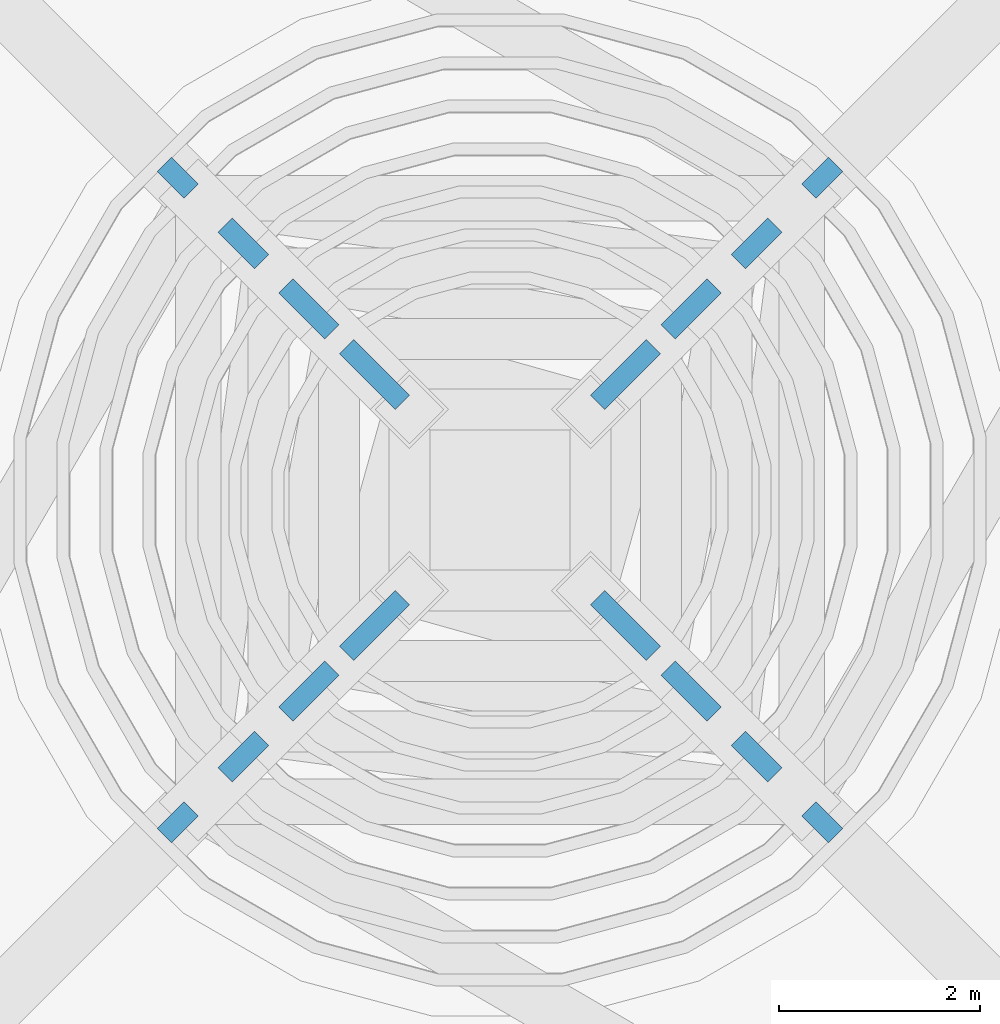
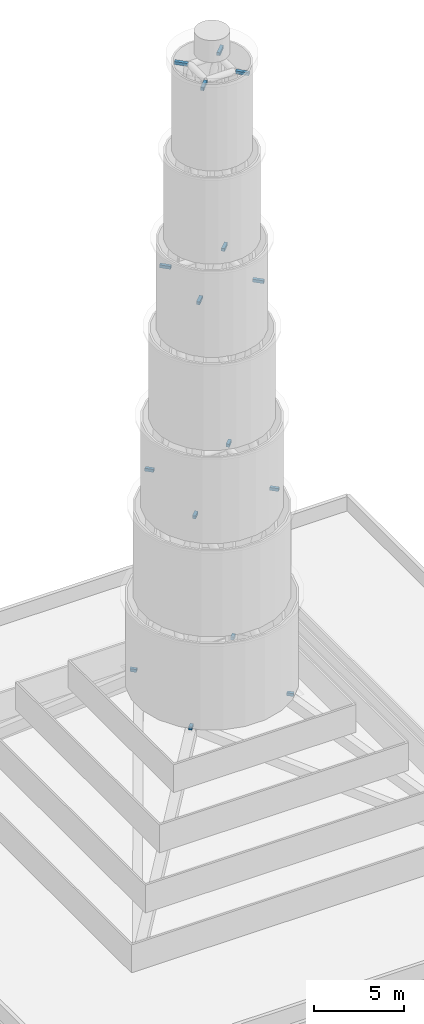
# One storey, part 2 of 4: 16 discrete accessories.
"""IFC4 building model written with IfcOpenShell, lengths in metres."""

import ifcopenshell
import ifcopenshell.guid

model = None  # the IFC model being written
_history = None  # IfcOwnerHistory: only IFC2X3 demands one
_inside = {}  # id of a spatial element -> (the spatial element, [elements in it])
_under = {}  # id of a project, library or spatial element -> (it, [spatial elements below it])
_declared = {}  # id of a project -> (the project, [libraries it declares])
_typed = {}  # id of a type object -> (the type object, [elements of that type])
_made_of = {}  # id of a material, layer set ... -> (it, [elements and type objects made of it])


def new_model(schema):
    """Start an empty IFC model of exactly this schema.

    Asked for "IFC4X3", IfcOpenShell would pick the latest addendum, in which some entities
    have other attributes; the version numbers below select the first issue.
    IFC2X3 requires an IfcOwnerHistory on every rooted entity: one is made here for all.
    """
    global model, _history
    if schema == "IFC4X3":
        model = ifcopenshell.file(schema_version=(4, 3, 0, 0))
    else:
        model = ifcopenshell.file(schema=schema)
    _inside.clear()
    _under.clear()
    _declared.clear()
    _typed.clear()
    _made_of.clear()
    _history = None
    if model.schema == "IFC2X3":
        org = make("IfcOrganization", Name="unknown")
        user = make(
            "IfcPersonAndOrganization",
            ThePerson=make("IfcPerson", FamilyName="unknown"),
            TheOrganization=org,
        )
        app = make(
            "IfcApplication",
            ApplicationDeveloper=org,
            Version="unknown",
            ApplicationFullName="unknown",
            ApplicationIdentifier="unknown",
        )
        _history = make(
            "IfcOwnerHistory",
            OwningUser=user,
            OwningApplication=app,
            ChangeAction="ADDED",
            CreationDate=0,
        )
    return model


def make(cls, **values):
    """One entity of the class cls with the attributes given. An attribute that is None is left unset."""
    return model.create_entity(
        cls, **{name: value for name, value in values.items() if value is not None}
    )


def rooted(cls, **values):
    """An entity with a GlobalId (a new one), such as an element, a storey or a relation."""
    return make(cls, GlobalId=ifcopenshell.guid.new(), OwnerHistory=_history, **values)


def si_unit(unit_type, name, prefix=None):
    """IfcSIUnit, for example si_unit("LENGTHUNIT", "METRE", prefix="MILLI")."""
    return make("IfcSIUnit", UnitType=unit_type, Prefix=prefix, Name=name)


def assignment(units):
    """IfcUnitAssignment: the units of a project."""
    return None if units is None else make("IfcUnitAssignment", Units=units)


def point(xyz):
    """IfcCartesianPoint."""
    return None if xyz is None else make("IfcCartesianPoint", Coordinates=xyz)


def direction(xyz):
    """IfcDirection."""
    return None if xyz is None else make("IfcDirection", DirectionRatios=xyz)


def frame(location, z_axis=None, x_axis=None):
    """IfcAxis2Placement3D, a coordinate frame: its origin and axes. An axis left out is left unset."""
    return make(
        "IfcAxis2Placement3D",
        Location=point(location),
        Axis=direction(z_axis),
        RefDirection=direction(x_axis),
    )


def origin():
    """The frame at (0, 0, 0) with its axes left unset."""
    return frame((0.0, 0.0, 0.0))


def place(relative_to, where):
    """IfcLocalPlacement: puts the frame where relative to a parent placement (None: the world)."""
    return make(
        "IfcLocalPlacement", PlacementRelTo=relative_to, RelativePlacement=where
    )


def context(
    kind, dimensions, precision=None, world=None, true_north=None, identifier=None
):
    """IfcGeometricRepresentationContext, for example the 3D "Model" context."""
    return make(
        "IfcGeometricRepresentationContext",
        ContextIdentifier=identifier,
        ContextType=kind,
        CoordinateSpaceDimension=dimensions,
        Precision=precision,
        WorldCoordinateSystem=world,
        TrueNorth=true_north,
    )


def subcontext(parent, identifier, kind, view, scale=None):
    """IfcGeometricRepresentationSubContext, for example "Body" below "Model"."""
    return make(
        "IfcGeometricRepresentationSubContext",
        ContextIdentifier=identifier,
        ContextType=kind,
        ParentContext=parent,
        TargetScale=scale,
        TargetView=view,
    )


def project(units=None, contexts=None):
    """IfcProject with its units and contexts."""
    return rooted(
        "IfcProject",
        Name="project",
        RepresentationContexts=contexts,
        UnitsInContext=assignment(units),
    )


def spatial(cls, under=None, at=None, **own):
    """A site, building, storey or space (cls), placed at a placement, below another one or the project."""
    s = rooted(cls, ObjectPlacement=at, **own)
    if under is not None:
        _under.setdefault(under.id(), (under, []))[1].append(s)
    return s


def polyline(points):
    """IfcPolyline through the points."""
    return make("IfcPolyline", Points=[point(p) for p in points])


def outline(outer, holes=None, kind="AREA"):
    """IfcArbitraryClosedProfileDef: a profile drawn as a closed curve; with holes, ...WithVoids."""
    if holes is None:
        return make("IfcArbitraryClosedProfileDef", ProfileType=kind, OuterCurve=outer)
    return make(
        "IfcArbitraryProfileDefWithVoids",
        ProfileType=kind,
        OuterCurve=outer,
        InnerCurves=holes,
    )


def extrude(swept, where, along, depth):
    """IfcExtrudedAreaSolid: the profile swept, set in the frame where, extruded along a direction by depth."""
    return make(
        "IfcExtrudedAreaSolid",
        SweptArea=swept,
        Position=where,
        ExtrudedDirection=direction(along),
        Depth=depth,
    )


def shape(context_of_items, identifier, shape_type, items):
    """IfcShapeRepresentation: the items that make up one representation, for example the "Body"."""
    return make(
        "IfcShapeRepresentation",
        ContextOfItems=context_of_items,
        RepresentationIdentifier=identifier,
        RepresentationType=shape_type,
        Items=items,
    )


def material(Name=None, Category=None):
    """IfcMaterial."""
    return make("IfcMaterial", Name=Name, Category=Category)


def made_of(thing, what):
    """Note that an element or type object is made of a material, layer set ...; save() writes the relation."""
    if what is not None:
        _made_of.setdefault(what.id(), (what, []))[1].append(thing)
    return thing


def type_object(cls, material=None, **own):
    """A type object (cls), such as IfcWallType, which elements share."""
    return made_of(rooted(cls, **own), material)


def element(
    cls,
    number,
    at=None,
    inside=None,
    cuts=None,
    type_object=None,
    material=None,
    context=None,
    identifier="Body",
    shape_type=None,
    held_by="IfcProductDefinitionShape",
    body=None,
    shapes=None,
    **own,
):
    """One element of the class cls, such as IfcWall. Its Tag is "e" and its number.

    at: its placement. inside: the storey or other place that contains it. cuts: it is an
    opening in that element (IfcRelVoidsElement). A single representation is given by context,
    identifier, shape_type and body (its items); several are given by shapes. held_by: the class
    of the entity that holds the representations. save() writes the other relations.
    """
    e = rooted(cls, Tag="e%d" % number, ObjectPlacement=at, **own)
    if body is not None:
        shapes = [shape(context, identifier, shape_type, body)]
    if shapes is not None:
        e.Representation = make(held_by, Representations=shapes)
    if inside is not None:
        _inside.setdefault(inside.id(), (inside, []))[1].append(e)
    if cuts is not None:
        rooted(
            "IfcRelVoidsElement", RelatingBuildingElement=cuts, RelatedOpeningElement=e
        )
    if type_object is not None:
        _typed.setdefault(type_object.id(), (type_object, []))[1].append(e)
    return made_of(e, material)


def aggregate(whole, parts):
    """IfcRelAggregates: a whole, such as a stair, and the parts it consists of."""
    return rooted("IfcRelAggregates", RelatingObject=whole, RelatedObjects=parts)


def save(model, path):
    """Write the relations noted so far, then the file.

    IfcRelAggregates (storeys below a building ...), IfcRelContainedInSpatialStructure (elements
    in a storey), IfcRelDefinesByType, IfcRelAssociatesMaterial and IfcRelDeclares: one each for
    every whole, place, type object, material and project.
    """
    for whole, parts in _under.values():
        aggregate(whole, parts)
    for where, things in _inside.values():
        rooted(
            "IfcRelContainedInSpatialStructure",
            RelatedElements=things,
            RelatingStructure=where,
        )
    for kind, things in _typed.values():
        rooted("IfcRelDefinesByType", RelatedObjects=things, RelatingType=kind)
    for what, things in _made_of.values():
        rooted("IfcRelAssociatesMaterial", RelatedObjects=things, RelatingMaterial=what)
    for by, libraries in _declared.values():
        rooted("IfcRelDeclares", RelatingContext=by, RelatedDefinitions=libraries)
    model.write(path)


model = new_model("IFC4")

# Units and contexts
model_context = context("Model", 3, precision=1e-05, world=origin(), true_north=direction((0.0, 1.0)))
body_context = subcontext(model_context, "Body", "Model", "MODEL_VIEW")
ifc_project = project(units=[si_unit("LENGTHUNIT", "METRE"), si_unit("AREAUNIT", "SQUARE_METRE"), si_unit("VOLUMEUNIT", "CUBIC_METRE"), si_unit("PLANEANGLEUNIT", "RADIAN"), si_unit("MASSUNIT", "GRAM", prefix="KILO")], contexts=[model_context])

# Site, building, storey
site_placement = place(None, origin())
site = spatial("IfcSite", under=ifc_project, at=site_placement, CompositionType="ELEMENT")
building_placement = place(site_placement, origin())
building = spatial("IfcBuilding", under=site, at=building_placement, Name="Tarangal Relay Tower", CompositionType="ELEMENT")
storey_placement = place(building_placement, frame((0.0, 0.0, 346.89990234375)))
storey = spatial("IfcBuildingStorey", under=building, at=storey_placement, Name="ROOF", CompositionType="ELEMENT", Elevation=346.89990234375)

# Discrete accessories
ifc_material = material(Name="Steel ASTM A500 Grade C", Category="steel")
discrete_accessory_type = type_object("IfcDiscreteAccessoryType", Name="Spire cladding bracket", PredefinedType="BRACKET", material=ifc_material)
discrete_accessory_1_placement = place(storey_placement, frame((0.0, 0.0, 8.10009765625)))
element("IfcDiscreteAccessory", 1, at=discrete_accessory_1_placement, inside=storey, type_object=discrete_accessory_type, Name="Spire cladding bracket CR8 ring 1 corner 1", PredefinedType="BRACKET", context=body_context, shape_type="SweptSolid", body=[
    extrude(outline(polyline([(3.0, 3.141357421875), (3.26708984375, 3.408447265625), (3.408447265625, 3.26708984375), (3.141357421875, 3.0), (3.0, 3.141357421875)])), origin(), (0.0, 0.0, 1.0), 0.199951171875),
])
discrete_accessory_2_placement = place(storey_placement, frame((0.0, 0.0, 8.10009765625)))
element("IfcDiscreteAccessory", 2, at=discrete_accessory_2_placement, inside=storey, type_object=discrete_accessory_type, Name="Spire cladding bracket CR8 ring 1 corner 2", PredefinedType="BRACKET", context=body_context, shape_type="SweptSolid", body=[
    extrude(outline(polyline([(3.141357421875, -3.0), (3.408447265625, -3.26708984375), (3.26708984375, -3.408447265625), (3.0, -3.141357421875), (3.141357421875, -3.0)])), origin(), (0.0, 0.0, 1.0), 0.199951171875),
])
discrete_accessory_3_placement = place(storey_placement, frame((0.0, 0.0, 8.10009765625)))
element("IfcDiscreteAccessory", 3, at=discrete_accessory_3_placement, inside=storey, type_object=discrete_accessory_type, Name="Spire cladding bracket CR8 ring 1 corner 3", PredefinedType="BRACKET", context=body_context, shape_type="SweptSolid", body=[
    extrude(outline(polyline([(-3.0, -3.141357421875), (-3.26708984375, -3.408447265625), (-3.408447265625, -3.26708984375), (-3.141357421875, -3.0), (-3.0, -3.141357421875)])), origin(), (0.0, 0.0, 1.0), 0.199951171875),
])
discrete_accessory_4_placement = place(storey_placement, frame((0.0, 0.0, 8.10009765625)))
element("IfcDiscreteAccessory", 4, at=discrete_accessory_4_placement, inside=storey, type_object=discrete_accessory_type, Name="Spire cladding bracket CR8 ring 1 corner 4", PredefinedType="BRACKET", context=body_context, shape_type="SweptSolid", body=[
    extrude(outline(polyline([(-3.141357421875, 3.0), (-3.408447265625, 3.26708984375), (-3.26708984375, 3.408447265625), (-3.0, 3.141357421875), (-3.141357421875, 3.0)])), origin(), (0.0, 0.0, 1.0), 0.199951171875),
])
discrete_accessory_5_placement = place(storey_placement, frame((0.0, 0.0, 21.900146484375)))
element("IfcDiscreteAccessory", 5, at=discrete_accessory_5_placement, inside=storey, type_object=discrete_accessory_type, Name="Spire cladding bracket CR8 ring 2 corner 1", PredefinedType="BRACKET", context=body_context, shape_type="SweptSolid", body=[
    extrude(outline(polyline([(2.300048828125, 2.44140625), (2.662841796875, 2.80419921875), (2.80419921875, 2.662841796875), (2.44140625, 2.300048828125), (2.300048828125, 2.44140625)])), origin(), (0.0, 0.0, 1.0), 0.199951171875),
])
discrete_accessory_6_placement = place(storey_placement, frame((0.0, 0.0, 21.900146484375)))
element("IfcDiscreteAccessory", 6, at=discrete_accessory_6_placement, inside=storey, type_object=discrete_accessory_type, Name="Spire cladding bracket CR8 ring 2 corner 2", PredefinedType="BRACKET", context=body_context, shape_type="SweptSolid", body=[
    extrude(outline(polyline([(2.44140625, -2.300048828125), (2.80419921875, -2.662841796875), (2.662841796875, -2.80419921875), (2.300048828125, -2.44140625), (2.44140625, -2.300048828125)])), origin(), (0.0, 0.0, 1.0), 0.199951171875),
])
discrete_accessory_7_placement = place(storey_placement, frame((0.0, 0.0, 21.900146484375)))
element("IfcDiscreteAccessory", 7, at=discrete_accessory_7_placement, inside=storey, type_object=discrete_accessory_type, Name="Spire cladding bracket CR8 ring 2 corner 3", PredefinedType="BRACKET", context=body_context, shape_type="SweptSolid", body=[
    extrude(outline(polyline([(-2.300048828125, -2.44140625), (-2.662841796875, -2.80419921875), (-2.80419921875, -2.662841796875), (-2.44140625, -2.300048828125), (-2.300048828125, -2.44140625)])), origin(), (0.0, 0.0, 1.0), 0.199951171875),
])
discrete_accessory_8_placement = place(storey_placement, frame((0.0, 0.0, 21.900146484375)))
element("IfcDiscreteAccessory", 8, at=discrete_accessory_8_placement, inside=storey, type_object=discrete_accessory_type, Name="Spire cladding bracket CR8 ring 2 corner 4", PredefinedType="BRACKET", context=body_context, shape_type="SweptSolid", body=[
    extrude(outline(polyline([(-2.44140625, 2.300048828125), (-2.80419921875, 2.662841796875), (-2.662841796875, 2.80419921875), (-2.300048828125, 2.44140625), (-2.44140625, 2.300048828125)])), origin(), (0.0, 0.0, 1.0), 0.199951171875),
])
discrete_accessory_9_placement = place(storey_placement, frame((0.0, 0.0, 35.900146484375)))
element("IfcDiscreteAccessory", 9, at=discrete_accessory_9_placement, inside=storey, type_object=discrete_accessory_type, Name="Spire cladding bracket CR8 ring 3 corner 1", PredefinedType="BRACKET", context=body_context, shape_type="SweptSolid", body=[
    extrude(outline(polyline([(1.60009765625, 1.741455078125), (2.05859375, 2.199951171875), (2.199951171875, 2.05859375), (1.741455078125, 1.60009765625), (1.60009765625, 1.741455078125)])), origin(), (0.0, 0.0, 1.0), 0.199951171875),
])
discrete_accessory_10_placement = place(storey_placement, frame((0.0, 0.0, 35.900146484375)))
element("IfcDiscreteAccessory", 10, at=discrete_accessory_10_placement, inside=storey, type_object=discrete_accessory_type, Name="Spire cladding bracket CR8 ring 3 corner 2", PredefinedType="BRACKET", context=body_context, shape_type="SweptSolid", body=[
    extrude(outline(polyline([(1.741455078125, -1.60009765625), (2.199951171875, -2.05859375), (2.05859375, -2.199951171875), (1.60009765625, -1.741455078125), (1.741455078125, -1.60009765625)])), origin(), (0.0, 0.0, 1.0), 0.199951171875),
])
discrete_accessory_11_placement = place(storey_placement, frame((0.0, 0.0, 35.900146484375)))
element("IfcDiscreteAccessory", 11, at=discrete_accessory_11_placement, inside=storey, type_object=discrete_accessory_type, Name="Spire cladding bracket CR8 ring 3 corner 3", PredefinedType="BRACKET", context=body_context, shape_type="SweptSolid", body=[
    extrude(outline(polyline([(-1.60009765625, -1.741455078125), (-2.05859375, -2.199951171875), (-2.199951171875, -2.05859375), (-1.741455078125, -1.60009765625), (-1.60009765625, -1.741455078125)])), origin(), (0.0, 0.0, 1.0), 0.199951171875),
])
discrete_accessory_12_placement = place(storey_placement, frame((0.0, 0.0, 35.900146484375)))
element("IfcDiscreteAccessory", 12, at=discrete_accessory_12_placement, inside=storey, type_object=discrete_accessory_type, Name="Spire cladding bracket CR8 ring 3 corner 4", PredefinedType="BRACKET", context=body_context, shape_type="SweptSolid", body=[
    extrude(outline(polyline([(-1.741455078125, 1.60009765625), (-2.199951171875, 2.05859375), (-2.05859375, 2.199951171875), (-1.60009765625, 1.741455078125), (-1.741455078125, 1.60009765625)])), origin(), (0.0, 0.0, 1.0), 0.199951171875),
])
discrete_accessory_13_placement = place(storey_placement, frame((0.0, 0.0, 49.900146484375)))
element("IfcDiscreteAccessory", 13, at=discrete_accessory_13_placement, inside=storey, type_object=discrete_accessory_type, Name="Spire cladding bracket CR8 ring 4 corner 1", PredefinedType="BRACKET", context=body_context, shape_type="SweptSolid", body=[
    extrude(outline(polyline([(0.89990234375, 1.04150390625), (1.4541015625, 1.595703125), (1.595703125, 1.4541015625), (1.04150390625, 0.89990234375), (0.89990234375, 1.04150390625)])), origin(), (0.0, 0.0, 1.0), 0.199951171875),
])
discrete_accessory_14_placement = place(storey_placement, frame((0.0, 0.0, 49.900146484375)))
element("IfcDiscreteAccessory", 14, at=discrete_accessory_14_placement, inside=storey, type_object=discrete_accessory_type, Name="Spire cladding bracket CR8 ring 4 corner 2", PredefinedType="BRACKET", context=body_context, shape_type="SweptSolid", body=[
    extrude(outline(polyline([(1.04150390625, -0.89990234375), (1.595703125, -1.4541015625), (1.4541015625, -1.595703125), (0.89990234375, -1.04150390625), (1.04150390625, -0.89990234375)])), origin(), (0.0, 0.0, 1.0), 0.199951171875),
])
discrete_accessory_15_placement = place(storey_placement, frame((0.0, 0.0, 49.900146484375)))
element("IfcDiscreteAccessory", 15, at=discrete_accessory_15_placement, inside=storey, type_object=discrete_accessory_type, Name="Spire cladding bracket CR8 ring 4 corner 3", PredefinedType="BRACKET", context=body_context, shape_type="SweptSolid", body=[
    extrude(outline(polyline([(-0.89990234375, -1.04150390625), (-1.4541015625, -1.595703125), (-1.595703125, -1.4541015625), (-1.04150390625, -0.89990234375), (-0.89990234375, -1.04150390625)])), origin(), (0.0, 0.0, 1.0), 0.199951171875),
])
discrete_accessory_16_placement = place(storey_placement, frame((0.0, 0.0, 49.900146484375)))
element("IfcDiscreteAccessory", 16, at=discrete_accessory_16_placement, inside=storey, type_object=discrete_accessory_type, Name="Spire cladding bracket CR8 ring 4 corner 4", PredefinedType="BRACKET", context=body_context, shape_type="SweptSolid", body=[
    extrude(outline(polyline([(-1.04150390625, 0.89990234375), (-1.595703125, 1.4541015625), (-1.4541015625, 1.595703125), (-0.89990234375, 1.04150390625), (-1.04150390625, 0.89990234375)])), origin(), (0.0, 0.0, 1.0), 0.199951171875),
])

save(model, "model.ifc")
